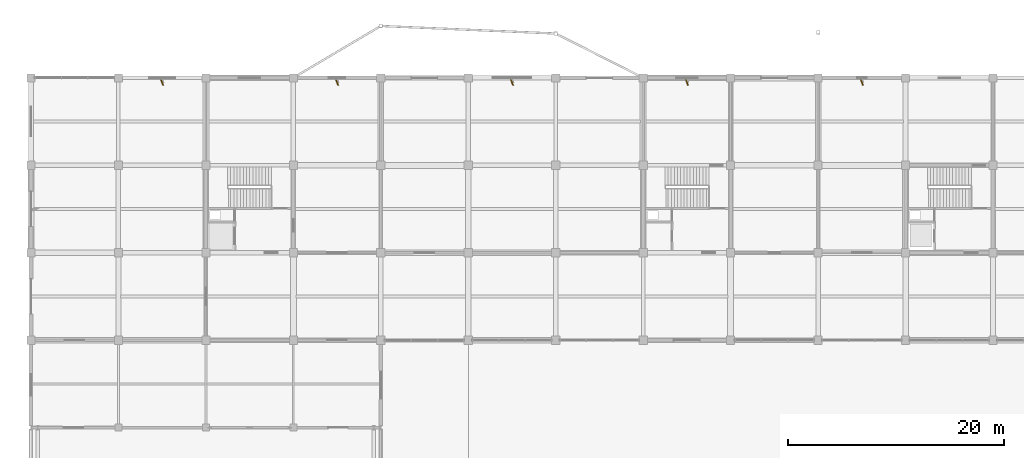
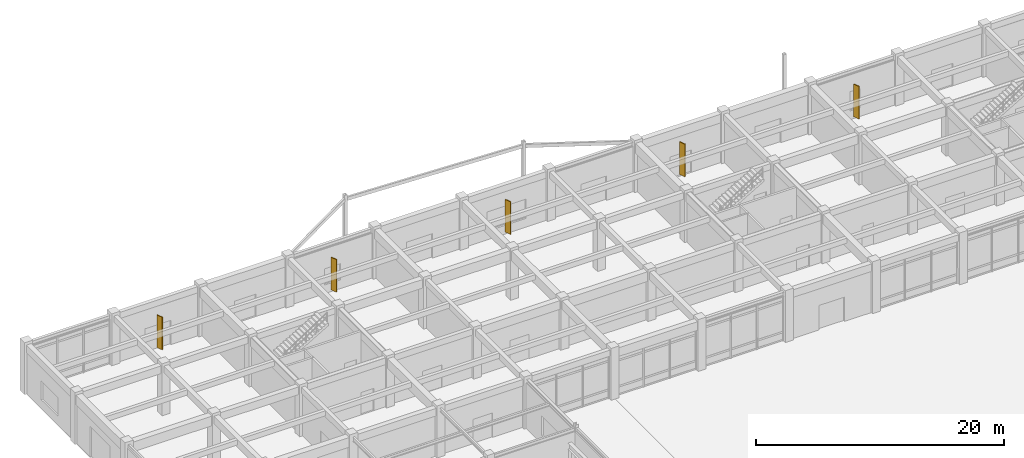
# One storey, part 97 of 99: 5 shading devices.
"""IFC4 building model written with IfcOpenShell, lengths in metres."""

from ifc_helpers import new_model, si_unit, direction, frame, origin, origin_2d, place, context, subcontext, project, spatial, rectangle, extrude, material, type_object, element, save


model = new_model("IFC4")

# Units and contexts
model_context = context("Model", 3, precision=1e-05, world=origin(), true_north=direction((0.0, 1.0)))
body_context = subcontext(model_context, "Body", "Model", "MODEL_VIEW")
ifc_project = project(units=[si_unit("LENGTHUNIT", "METRE"), si_unit("AREAUNIT", "SQUARE_METRE"), si_unit("VOLUMEUNIT", "CUBIC_METRE"), si_unit("PLANEANGLEUNIT", "RADIAN"), si_unit("MASSUNIT", "GRAM", prefix="KILO")], contexts=[model_context])

# Site, building, storey
site_placement = place(None, origin())
site = spatial("IfcSite", under=ifc_project, at=site_placement, CompositionType="ELEMENT")
building_placement = place(site_placement, origin())
building = spatial("IfcBuilding", under=site, at=building_placement, Name="Vaudrelin Polytechnic", CompositionType="ELEMENT")
storey_placement = place(building_placement, origin())
storey = spatial("IfcBuildingStorey", under=building, at=storey_placement, Name="L00", CompositionType="ELEMENT", Elevation=0.0)

# Shading devices
ifc_material = material(Name="Anodised perforated aluminium AA 5005", Category="aluminium")
shading_device_type = type_object("IfcShadingDeviceType", Name="ENV-SF-FIN1", PredefinedType="USERDEFINED", material=ifc_material)
for number, where, z_axis, x_axis, name in (
    (1, (12.14990234375, 121.06005859375, 0.2001953125), (0.0, 0.0, 1.0), (0.374606593416, -0.927183854567, 0.0), "Perforated solar fin SF-003"),
    (2, (28.35009765625, 121.06005859375, 0.2001953125), (0.0, 0.0, 1.0), (0.374606593416, -0.927183854567, 0.0), "Perforated solar fin SF-004"),
    (3, (44.550048828125, 121.06005859375, 0.2001953125), (0.0, 0.0, 1.0), (0.374606593416, -0.927183854567, 0.0), "Perforated solar fin SF-005"),
    (4, (60.75, 121.06005859375, 0.2001953125), (0.0, 0.0, 1.0), (0.374606593416, -0.927183854567, 0.0), "Perforated solar fin SF-006"),
    (5, (76.949951171875, 121.06005859375, 0.2001953125), (0.0, 0.0, 1.0), (0.374606593416, -0.927183854567, 0.0), "Perforated solar fin SF-007"),
):
    element("IfcShadingDevice", number, at=place(storey_placement, frame(where, z_axis=z_axis, x_axis=x_axis)), inside=storey, type_object=shading_device_type, Name=name, ObjectType="SOLAR FIN", PredefinedType="USERDEFINED", context=body_context, shape_type="SweptSolid", body=[
        extrude(rectangle(XDim=0.550048828125, YDim=0.080078125, at=origin_2d()), origin(), (0.0, 0.0, 1.0), 3.199951171875),
    ])

save(model, "model.ifc")
